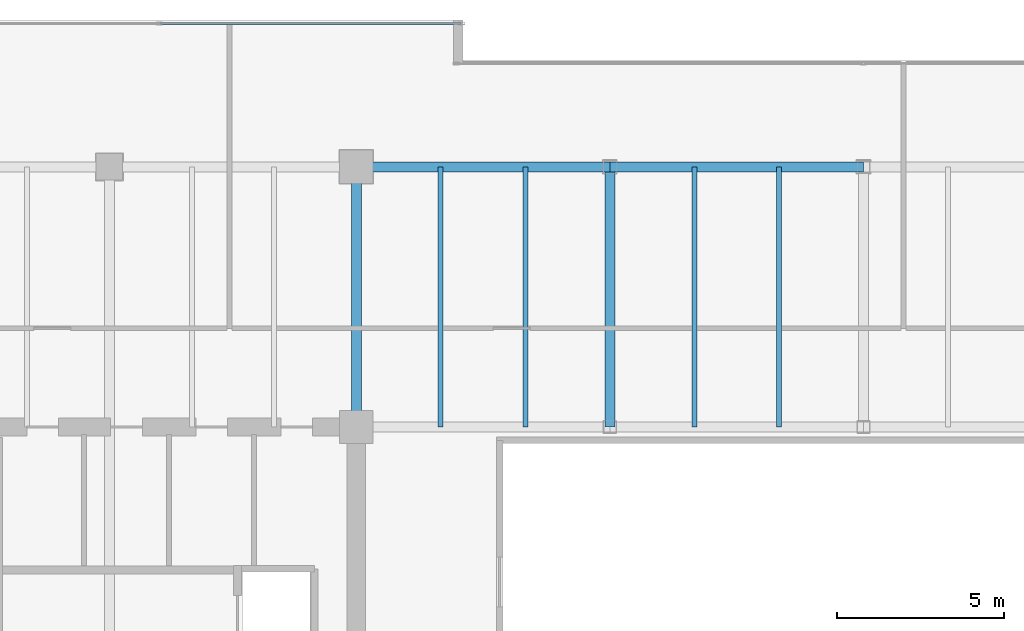
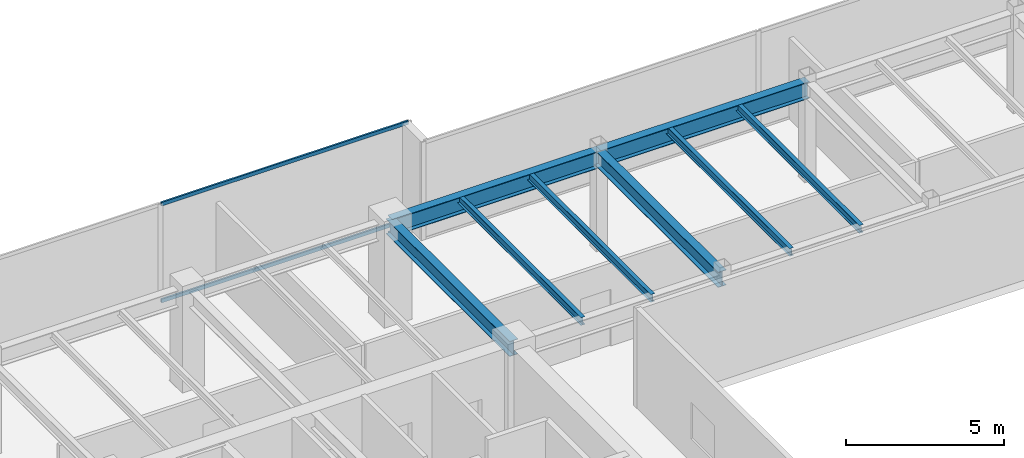
# One storey, part 16 of 35: 8 beams, 2 members, 1 element without a shape of its own.
"""IFC4 building model written with IfcOpenShell, lengths in metres."""

from ifc_helpers import new_model, si_unit, direction, frame, origin, origin_2d, place, context, subcontext, project, spatial, hollow_rectangle, i_section, extrude, source, transform, mapped, material, layer, layer_set, material_profile, profile_set, type_object, type_shapes, element, aggregate, save


model = new_model("IFC4")

# Units and contexts
model_context = context("Model", 3, precision=1e-05, world=origin(), true_north=direction((0.0, 1.0)))
body_context = subcontext(model_context, "Body", "Model", "MODEL_VIEW")
ifc_project = project(units=[si_unit("LENGTHUNIT", "METRE"), si_unit("AREAUNIT", "SQUARE_METRE"), si_unit("VOLUMEUNIT", "CUBIC_METRE"), si_unit("PLANEANGLEUNIT", "RADIAN"), si_unit("MASSUNIT", "GRAM", prefix="KILO")], contexts=[model_context])

# Site, building, storey
site_placement = place(None, origin())
site = spatial("IfcSite", under=ifc_project, at=site_placement, CompositionType="ELEMENT")
building_placement = place(site_placement, origin())
building = spatial("IfcBuilding", under=site, at=building_placement, Name="Haelvirn Gate Laboratories", CompositionType="ELEMENT")
storey_placement = place(building_placement, frame((0.0, 0.0, 226.0)))
storey = spatial("IfcBuildingStorey", under=building, at=storey_placement, Name="L54", CompositionType="ELEMENT", Elevation=226.0)

# Beams
ifc_material_1 = material(Name="Steel SM355", Category="steel")
ifc_material_profile_1 = material_profile(ifc_material_1, i_section(OverallWidth=0.14990234375, OverallDepth=0.300048828125, WebThickness=0.006591796875, FlangeThickness=0.009033203125, at=origin_2d()), Name="H-300x150x6.5x9")
ifc_profile_set_1 = profile_set([ifc_material_profile_1], Name="Steel SM355")
beam_type_1 = type_object("IfcBeamType", Name="BM-J-300", PredefinedType="JOIST", material=ifc_profile_set_1)
shared_shape_1 = source(origin(), body_context, "Body", "SweptSolid", [
    extrude(i_section(OverallWidth=0.14990234375, OverallDepth=0.300048828125, WebThickness=0.006591796875, FlangeThickness=0.009033203125, at=origin_2d()), origin(), (0.0, 0.0, 1.0), 7.800048828125),
])
type_shapes(beam_type_1, [shared_shape_1])
for number, where, z_axis, x_axis, name in (
    (1, (24.72998046875, 33.800048828125, 3.64990234375), (0.0, 1.0, 0.0), (-1.0, 0.0, 0.0), "L54 Composite Lab Joist North X24.73"),
    (2, (27.27001953125, 33.800048828125, 3.64990234375), (0.0, 1.0, 0.0), (-1.0, 0.0, 0.0), "L54 Composite Lab Joist North X27.27"),
    (3, (32.330078125, 33.800048828125, 3.64990234375), (0.0, 1.0, 0.0), (-1.0, 0.0, 0.0), "L54 Composite Lab Joist North X32.33"),
    (4, (34.8701171875, 33.800048828125, 3.64990234375), (0.0, 1.0, 0.0), (-1.0, 0.0, 0.0), "L54 Composite Lab Joist North X34.87"),
):
    element("IfcBeam", number, at=place(storey_placement, frame(where, z_axis=z_axis, x_axis=x_axis)), inside=storey, type_object=beam_type_1, Name=name, PredefinedType="JOIST", context=body_context, shape_type="MappedRepresentation", body=[
        mapped(shared_shape_1, transform((0.0, 0.0, 0.0), scale=1.0)),
    ])
ifc_material_profile_2 = material_profile(ifc_material_1, i_section(OverallWidth=0.300048828125, OverallDepth=0.587890625, WebThickness=0.011962890625, FlangeThickness=0.02001953125, at=origin_2d()), Name="H-588x300x12x20")
ifc_profile_set_2 = profile_set([ifc_material_profile_2], Name="Steel SM355")
beam_type_2 = type_object("IfcBeamType", Name="BM-G-588", PredefinedType="BEAM", material=ifc_profile_set_2)
shared_shape_2 = source(origin(), body_context, "Body", "SweptSolid", [
    extrude(i_section(OverallWidth=0.300048828125, OverallDepth=0.587890625, WebThickness=0.011962890625, FlangeThickness=0.02001953125, at=origin_2d()), origin(), (0.0, 0.0, 1.0), 7.800048828125),
])
type_shapes(beam_type_2, [shared_shape_2])
for number, where, z_axis, x_axis, name in (
    (5, (22.199951171875, 33.800048828125, 3.506103515625), (0.0, 1.0, 0.0), (-1.0, 0.0, 0.0), "L54 Frame Girder X22.2 (33.8-41.6)"),
    (6, (29.800048828125, 33.800048828125, 3.506103515625), (0.0, 1.0, 0.0), (-1.0, 0.0, 0.0), "L54 Frame Girder X29.8 (33.8-41.6)"),
):
    element("IfcBeam", number, at=place(storey_placement, frame(where, z_axis=z_axis, x_axis=x_axis)), inside=storey, type_object=beam_type_2, Name=name, PredefinedType="BEAM", context=body_context, shape_type="MappedRepresentation", body=[
        mapped(shared_shape_2, transform((0.0, 0.0, 0.0), scale=1.0)),
    ])
ifc_material_profile_3 = material_profile(ifc_material_1, i_section(OverallWidth=0.300048828125, OverallDepth=0.64990234375, WebThickness=0.012939453125, FlangeThickness=0.02197265625, at=origin_2d()), Name="H-650x300x13x22")
ifc_profile_set_3 = profile_set([ifc_material_profile_3], Name="Steel SM355")
beam_type_3 = type_object("IfcBeamType", Name="BM-G-650", PredefinedType="BEAM", material=ifc_profile_set_3)
shared_shape_3 = source(origin(), body_context, "Body", "SweptSolid", [
    extrude(i_section(OverallWidth=0.300048828125, OverallDepth=0.64990234375, WebThickness=0.012939453125, FlangeThickness=0.02197265625, at=origin_2d()), origin(), (0.0, 0.0, 1.0), 7.60009765625),
])
beam_1_placement = place(storey_placement, frame((22.199951171875, 41.60009765625, 3.47509765625), z_axis=(1.0, 0.0, 0.0), x_axis=(0.0, 1.0, 0.0)))
element("IfcBeam", 7, at=beam_1_placement, inside=storey, type_object=beam_type_3, Name="L54 Primary Girder Y41.6 (22.2-29.8)", PredefinedType="BEAM", context=body_context, shape_type="MappedRepresentation", body=[
    mapped(shared_shape_3, transform((0.0, 0.0, 0.0), scale=1.0)),
])
shared_shape_4 = source(origin(), body_context, "Body", "SweptSolid", [
    extrude(i_section(OverallWidth=0.300048828125, OverallDepth=0.64990234375, WebThickness=0.012939453125, FlangeThickness=0.02197265625, at=origin_2d()), origin(), (0.0, 0.0, 1.0), 7.599853515625),
])
type_shapes(beam_type_3, [shared_shape_3, shared_shape_4])
beam_2_placement = place(storey_placement, frame((29.800048828125, 41.60009765625, 3.47509765625), z_axis=(1.0, 0.0, 0.0), x_axis=(0.0, 1.0, 0.0)))
element("IfcBeam", 8, at=beam_2_placement, inside=storey, type_object=beam_type_3, Name="L54 Primary Girder Y41.6 (29.8-37.4)", PredefinedType="BEAM", context=body_context, shape_type="MappedRepresentation", body=[
    mapped(shared_shape_4, transform((0.0, 0.0, 0.0), scale=1.0)),
])

# Curtain wall, members
ifc_material_2 = material(Name="Anodised bronze unitised aluminium & triple low-E glass", Category="aluminium")
ifc_layer = layer(ifc_material_2, 0.176025390625, Name="CW-SYS-4")
ifc_layer_set = layer_set([ifc_layer], Name="Anodised bronze unitised aluminium & triple low-E glass")
curtain_wall_type = type_object("IfcCurtainWallType", Name="CW-SYS-4", PredefinedType="NOTDEFINED", material=ifc_layer_set)
curtain_wall_placement = place(storey_placement, origin())
curtain_wall = element("IfcCurtainWall", 9, at=curtain_wall_placement, inside=storey, type_object=curtain_wall_type, Name="L54 Unitised Curtain Wall CW-L54-P0-E14-1", PredefinedType="NOTDEFINED")
ifc_material_3 = material(Name="Extruded aluminium 6063-T6 (anodised bronze)", Category="aluminium")
ifc_material_profile_4 = material_profile(ifc_material_3, hollow_rectangle(XDim=0.06494140625, YDim=0.139892578125, WallThickness=0.00390625, at=origin_2d()), Name="CWT-140x65x4")
ifc_profile_set_4 = profile_set([ifc_material_profile_4], Name="Extruded aluminium 6063-T6 (anodised bronze)")
member_type = type_object("IfcMemberType", Name="CWT-T140", PredefinedType="USERDEFINED", material=ifc_profile_set_4)
shared_shape_5 = source(origin(), body_context, "Body", "SweptSolid", [
    extrude(hollow_rectangle(XDim=0.06494140625, YDim=0.139892578125, WallThickness=0.00390625, at=origin_2d()), origin(), (0.0, 0.0, 1.0), 8.9951171875),
])
type_shapes(member_type, [shared_shape_5])
member_1_placement = place(storey_placement, frame((16.3349609375, 45.89990234375, 0.032470703125), z_axis=(1.0, 0.0, 0.0), x_axis=(0.0, 1.0, 0.0)))
member_1 = element("IfcMember", 10, at=member_1_placement, type_object=member_type, Name="CW4 transom 2.1", ObjectType="TRANSOM", PredefinedType="USERDEFINED", context=body_context, shape_type="MappedRepresentation", body=[
    mapped(shared_shape_5, transform((0.0, 0.0, 0.0), scale=1.0)),
])
member_2_placement = place(storey_placement, frame((16.3349609375, 45.89990234375, 3.767578125), z_axis=(1.0, 0.0, 0.0), x_axis=(0.0, 1.0, 0.0)))
member_2 = element("IfcMember", 11, at=member_2_placement, type_object=member_type, Name="CW4 transom 2.2", ObjectType="TRANSOM", PredefinedType="USERDEFINED", context=body_context, shape_type="MappedRepresentation", body=[
    mapped(shared_shape_5, transform((0.0, 0.0, 0.0), scale=1.0)),
])
aggregate(curtain_wall, [member_1, member_2])

save(model, "model.ifc")
